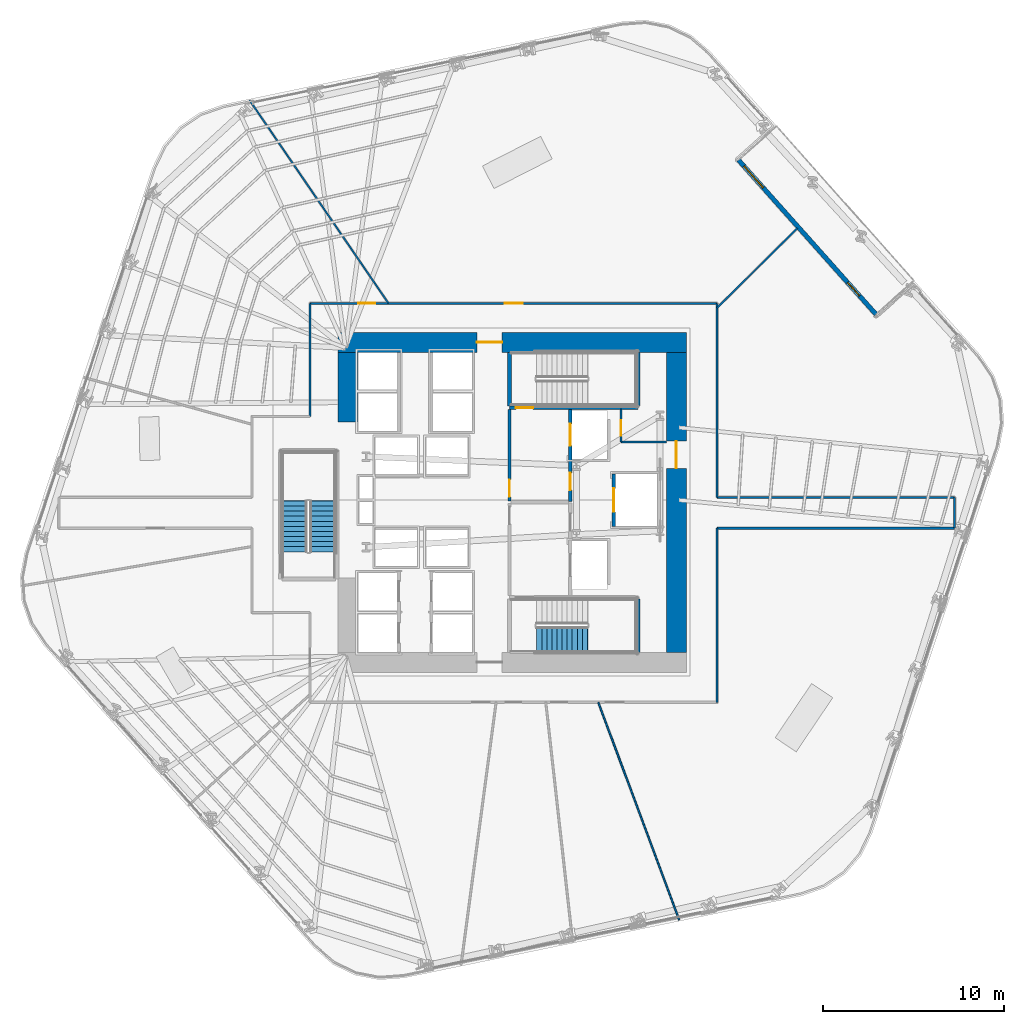
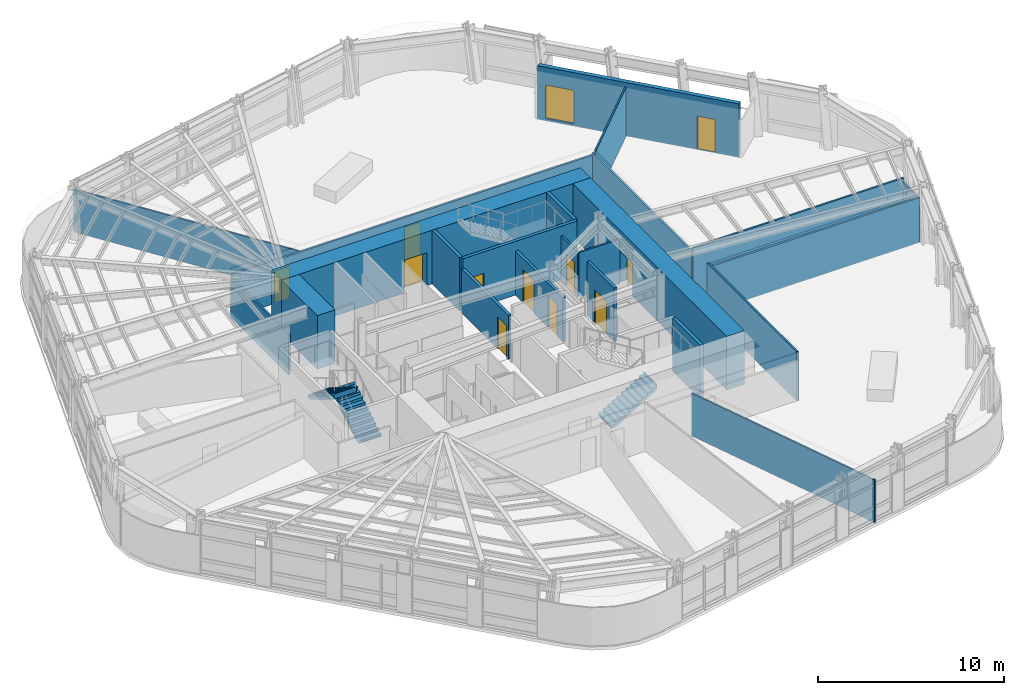
# One storey, part 9 of 17: 23 walls, 11 doors, 3 stair flights, 1 window, 12 openings, 2 elements without a shape of their own.
"""IFC4 building model written with IfcOpenShell, lengths in metres."""

from ifc_helpers import new_model, si_unit, direction, frame, frame_2d, origin, place, context, subcontext, project, spatial, polyline, rectangle, outline, extrude, material, layer, layer_set, type_object, element, fill, aggregate, save


model = new_model("IFC4")

# Units and contexts
model_context = context("Model", 3, precision=1e-05, world=origin(), true_north=direction((0.0, 1.0)))
body_context = subcontext(model_context, "Body", "Model", "MODEL_VIEW")
ifc_project = project(units=[si_unit("LENGTHUNIT", "METRE"), si_unit("AREAUNIT", "SQUARE_METRE"), si_unit("VOLUMEUNIT", "CUBIC_METRE"), si_unit("PLANEANGLEUNIT", "RADIAN"), si_unit("MASSUNIT", "GRAM", prefix="KILO")], contexts=[model_context])

# Site, building, storey
site_placement = place(None, origin())
site = spatial("IfcSite", under=ifc_project, at=site_placement, CompositionType="ELEMENT")
building_placement = place(site_placement, origin())
building = spatial("IfcBuilding", under=site, at=building_placement, Name="Valkerne Bourse Tower", CompositionType="ELEMENT")
storey_placement = place(building_placement, frame((0.0, 0.0, 73.39990234375)))
storey = spatial("IfcBuildingStorey", under=building, at=storey_placement, Name="L18", CompositionType="ELEMENT", Elevation=73.39990234375)

# Wall, opening, door
ifc_material_1 = material(Name="Concrete C70/85", Category="concrete")
ifc_layer_1 = layer(ifc_material_1, 1.10009765625)
ifc_layer_set_1 = layer_set([ifc_layer_1], Name="Concrete C70/85")
wall_type_1 = type_object("IfcWallType", Name="W-CORE-1100", PredefinedType="SHEAR", material=ifc_layer_set_1)
wall_1_placement = place(storey_placement, frame((37.199951171875, 35.699951171875, 0.0), z_axis=(0.0, 0.0, 1.0), x_axis=(1.0, 0.0, 0.0)))
wall_1 = element("IfcWall", 1, at=wall_1_placement, inside=storey, type_object=wall_type_1, Name="L18 Core Shear Wall NORTH", PredefinedType="SHEAR", context=body_context, shape_type="SweptSolid", body=[
    extrude(rectangle(XDim=19.199951171875, YDim=1.10009765625, at=frame_2d((9.60009765625, 0.0))), origin(), (0.0, 0.0, 1.0), 3.52001953125),
])
opening_1_placement = place(wall_1_placement, frame((7.64990234375, 0.0, 0.0)))
opening_1 = element("IfcOpeningElement", 2, at=opening_1_placement, cuts=wall_1, Name="Opening D-PL-1400", PredefinedType="OPENING", context=body_context, shape_type="SweptSolid", body=[
    extrude(rectangle(XDim=1.39990234375, YDim=2.14990234375, at=frame_2d((0.699951171875, 1.074951171875))), frame((0.0, 0.56005859375, 0.0), z_axis=(0.0, -1.0, 0.0), x_axis=(1.0, 0.0, 0.0)), (0.0, 0.0, 1.0), 1.1201171875),
])
ifc_material_2 = material(Name="Galvanised Painted Steel", Category="steel")
door_type_1 = type_object("IfcDoorType", Name="DR-PLT-1400", OperationType="DOUBLE_DOOR_SINGLE_SWING", PredefinedType="DOOR", material=ifc_material_2)
door_1_placement = place(opening_1_placement, origin())
door_1 = element("IfcDoor", 3, at=door_1_placement, inside=storey, type_object=door_type_1, Name="L18 North Passenger Lift Hall Fire Door", OperationType="DOUBLE_DOOR_SINGLE_SWING", OverallHeight=2.14990234375, OverallWidth=1.39990234375, PredefinedType="DOOR", context=body_context, shape_type="SweptSolid", body=[
    extrude(rectangle(XDim=1.39990234375, YDim=2.14990234375, at=frame_2d((0.699951171875, 1.074951171875))), frame((0.0, 0.02490234375, 0.0), z_axis=(0.0, -1.0, 0.0), x_axis=(1.0, 0.0, 0.0)), (0.0, 0.0, 1.0), 0.050048828125),
])
fill(opening_1, door_1)

wall_2_placement = place(storey_placement, frame((55.85009765625, 18.60009765625, 0.0), z_axis=(0.0, 0.0, 1.0), x_axis=(0.0, 1.0, 0.0)))
wall_2 = element("IfcWall", 4, at=wall_2_placement, inside=storey, type_object=wall_type_1, Name="L18 Core Shear Wall EAST", PredefinedType="SHEAR", context=body_context, shape_type="SweptSolid", body=[
    extrude(rectangle(XDim=16.5498046875, YDim=1.10009765625, at=frame_2d((8.27490234375, 0.0))), origin(), (0.0, 0.0, 1.0), 3.52001953125),
])
opening_2_placement = place(wall_2_placement, frame((10.14990234375, 0.0, 0.0)))
opening_2 = element("IfcOpeningElement", 5, at=opening_2_placement, cuts=wall_2, Name="Opening D-CR-1500", PredefinedType="OPENING", context=body_context, shape_type="SweptSolid", body=[
    extrude(rectangle(XDim=1.5, YDim=2.14990234375, at=frame_2d((0.75, 1.074951171875))), frame((0.0, 0.56005859375, 0.0), z_axis=(0.0, -1.0, 0.0), x_axis=(1.0, 0.0, 0.0)), (0.0, 0.0, 1.0), 1.1201171875),
])
door_type_2 = type_object("IfcDoorType", Name="DR-CORR-1500", OperationType="DOUBLE_DOOR_SINGLE_SWING", PredefinedType="DOOR", material=ifc_material_2)
door_2_placement = place(opening_2_placement, origin())
door_2 = element("IfcDoor", 6, at=door_2_placement, inside=storey, type_object=door_type_2, Name="L18 East Core Service Lobby Fire Door", OperationType="DOUBLE_DOOR_SINGLE_SWING", OverallHeight=2.14990234375, OverallWidth=1.5, PredefinedType="DOOR", context=body_context, shape_type="SweptSolid", body=[
    extrude(rectangle(XDim=1.5, YDim=2.14990234375, at=frame_2d((0.75, 1.074951171875))), frame((0.0, 0.02490234375, 0.0), z_axis=(0.0, -1.0, 0.0), x_axis=(1.0, 0.0, 0.0)), (0.0, 0.0, 1.0), 0.050048828125),
])
fill(opening_2, door_2)

# Wall
wall_3_placement = place(storey_placement, frame((37.75, 31.300048828125, 0.0), z_axis=(0.0, 0.0, 1.0), x_axis=(0.0, 1.0, 0.0)))
element("IfcWall", 7, at=wall_3_placement, inside=storey, type_object=wall_type_1, Name="L18 Core Shear Wall WEST-N", PredefinedType="SHEAR", context=body_context, shape_type="SweptSolid", body=[
    extrude(rectangle(XDim=3.849853515625, YDim=1.10009765625, at=frame_2d((1.9248046875, 0.0))), origin(), (0.0, 0.0, 1.0), 3.52001953125),
])

# Wall, opening, door
ifc_material_3 = material(Name="Gypsum Board Steel-Stud Partition", Category="steel")
ifc_layer_2 = layer(ifc_material_3, 0.117919921875)
ifc_layer_set_2 = layer_set([ifc_layer_2], Name="Gypsum Board Steel-Stud Partition")
wall_type_2 = type_object("IfcWallType", Name="W-CORR-140", PredefinedType="PARTITIONING", material=ifc_layer_set_2)
wall_4_placement = place(storey_placement, frame((52.800048828125, 30.199951171875, 0.0), z_axis=(0.0, 0.0, 1.0), x_axis=(0.0, 1.0, 0.0)))
wall_4 = element("IfcWall", 8, at=wall_4_placement, inside=storey, type_object=wall_type_2, Name="L18 Core NE Bay West Wall", PredefinedType="PARTITIONING", context=body_context, shape_type="SweptSolid", body=[
    extrude(rectangle(XDim=1.820068359375, YDim=0.117919921875, at=frame_2d((0.91015625, 0.0))), origin(), (0.0, 0.0, 1.0), 2.898193359375),
])
opening_3_placement = place(wall_4_placement, frame((0.35009765625, 0.0, 0.0)))
opening_3 = element("IfcOpeningElement", 9, at=opening_3_placement, cuts=wall_4, Name="Opening D-WC-900", PredefinedType="OPENING", context=body_context, shape_type="SweptSolid", body=[
    extrude(rectangle(XDim=0.860107421875, YDim=2.050048828125, at=frame_2d((0.43017578125, 1.02490234375))), frame((0.0, 0.06884765625, 0.0), z_axis=(0.0, -1.0, 0.0), x_axis=(1.0, 0.0, 0.0)), (0.0, 0.0, 1.0), 0.137939453125),
])
ifc_material_4 = material(Name="Architectural White Oak Timber", Category="wood")
door_type_3 = type_object("IfcDoorType", Name="DR-WC-900", OperationType="NOTDEFINED", PredefinedType="DOOR", material=ifc_material_4)
door_3_placement = place(opening_3_placement, origin())
door_3 = element("IfcDoor", 10, at=door_3_placement, inside=storey, type_object=door_type_3, Name="L18 Electrical Closet Door", OperationType="SINGLE_SWING_RIGHT", OverallHeight=2.050048828125, OverallWidth=0.860107421875, PredefinedType="DOOR", context=body_context, shape_type="SweptSolid", body=[
    extrude(rectangle(XDim=0.860107421875, YDim=2.050048828125, at=frame_2d((0.43017578125, 1.02490234375))), frame((0.0, 0.02490234375, 0.0), z_axis=(0.0, -1.0, 0.0), x_axis=(1.0, 0.0, 0.0)), (0.0, 0.0, 1.0), 0.050048828125),
])
fill(opening_3, door_3)

# Walls
wall_5_placement = place(storey_placement, frame((52.800048828125, 30.199951171875, 0.0), z_axis=(0.0, 0.0, 1.0), x_axis=(1.0, 0.0, 0.0)))
element("IfcWall", 11, at=wall_5_placement, inside=storey, type_object=wall_type_2, Name="L18 Core NE Bay South Wall", PredefinedType="PARTITIONING", context=body_context, shape_type="SweptSolid", body=[
    extrude(rectangle(XDim=2.52001953125, YDim=0.117919921875, at=frame_2d((1.260009765625, 0.0))), origin(), (0.0, 0.0, 1.0), 2.898193359375),
])
wall_6_placement = place(storey_placement, frame((58.10009765625, 27.14990234375, 0.0), z_axis=(0.0, 0.0, 1.0), x_axis=(1.0, 0.0, 0.0)))
element("IfcWall", 12, at=wall_6_placement, inside=storey, type_object=wall_type_2, Name="L18 Corridor Enclosure Wall", PredefinedType="PARTITIONING", context=body_context, shape_type="SweptSolid", body=[
    extrude(rectangle(XDim=13.099853515625, YDim=0.117919921875, at=frame_2d((6.5498046875, 0.0))), origin(), (0.0, 0.0, 1.0), 3.2001953125),
])
wall_7_placement = place(storey_placement, frame((71.199951171875, 27.14990234375, 0.0), z_axis=(0.0, 0.0, 1.0), x_axis=(0.0, -1.0, 0.0)))
element("IfcWall", 13, at=wall_7_placement, inside=storey, type_object=wall_type_2, Name="L18 Corridor Enclosure Wall", PredefinedType="PARTITIONING", context=body_context, shape_type="SweptSolid", body=[
    extrude(rectangle(XDim=1.699951171875, YDim=0.117919921875, at=frame_2d((0.85009765625, 0.0))), origin(), (0.0, 0.0, 1.0), 2.96142578125),
])
wall_8_placement = place(storey_placement, frame((71.199951171875, 25.449951171875, 0.0), z_axis=(0.0, 0.0, 1.0), x_axis=(-1.0, 0.0, 0.0)))
element("IfcWall", 14, at=wall_8_placement, inside=storey, type_object=wall_type_2, Name="L18 Corridor Enclosure Wall", PredefinedType="PARTITIONING", context=body_context, shape_type="SweptSolid", body=[
    extrude(rectangle(XDim=13.099853515625, YDim=0.117919921875, at=frame_2d((6.5498046875, 0.0))), origin(), (0.0, 0.0, 1.0), 2.96142578125),
])
wall_9_placement = place(storey_placement, frame((58.10009765625, 25.449951171875, 0.0), z_axis=(0.0, 0.0, 1.0), x_axis=(0.0, -1.0, 0.0)))
element("IfcWall", 15, at=wall_9_placement, inside=storey, type_object=wall_type_2, Name="L18 Corridor Enclosure Wall", PredefinedType="PARTITIONING", context=body_context, shape_type="SweptSolid", body=[
    extrude(rectangle(XDim=9.599853515625, YDim=0.117919921875, at=frame_2d((4.7998046875, 0.0))), origin(), (0.0, 0.0, 1.0), 3.22021484375),
])
wall_10_placement = place(storey_placement, frame((35.64990234375, 31.60009765625, 0.0), z_axis=(0.0, 0.0, 1.0), x_axis=(0.0, 1.0, 0.0)))
element("IfcWall", 16, at=wall_10_placement, inside=storey, type_object=wall_type_2, Name="L18 Corridor Enclosure Wall", PredefinedType="PARTITIONING", context=body_context, shape_type="SweptSolid", body=[
    extrude(rectangle(XDim=6.25, YDim=0.117919921875, at=frame_2d((3.125, 0.0))), origin(), (0.0, 0.0, 1.0), 2.651611328125),
])

# Wall, openings, doors
wall_11_placement = place(storey_placement, frame((35.64990234375, 37.85009765625, 0.0), z_axis=(0.0, 0.0, 1.0), x_axis=(1.0, 0.0, 0.0)))
wall_11 = element("IfcWall", 17, at=wall_11_placement, inside=storey, type_object=wall_type_2, Name="L18 Corridor Enclosure Wall", PredefinedType="PARTITIONING", context=body_context, shape_type="SweptSolid", body=[
    extrude(rectangle(XDim=22.4501953125, YDim=0.117919921875, at=frame_2d((11.22509765625, 0.0))), origin(), (0.0, 0.0, 1.0), 2.816650390625),
])
opening_4_placement = place(wall_11_placement, frame((2.64990234375, 0.0, 0.0)))
opening_4 = element("IfcOpeningElement", 18, at=opening_4_placement, cuts=wall_11, Name="Opening D-OF-950", PredefinedType="OPENING", context=body_context, shape_type="SweptSolid", body=[
    extrude(rectangle(XDim=0.949951171875, YDim=2.10009765625, at=frame_2d((0.47509765625, 1.050048828125))), frame((0.0, 0.06884765625, 0.0), z_axis=(0.0, -1.0, 0.0), x_axis=(1.0, 0.0, 0.0)), (0.0, 0.0, 1.0), 0.137939453125),
])
opening_5_placement = place(wall_11_placement, frame((10.72509765625, 0.0, 0.0)))
opening_5 = element("IfcOpeningElement", 19, at=opening_5_placement, cuts=wall_11, Name="Opening D-MG-1000", PredefinedType="OPENING", context=body_context, shape_type="SweptSolid", body=[
    extrude(rectangle(XDim=1.0, YDim=2.14990234375, at=frame_2d((0.5, 1.074951171875))), frame((0.0, 0.06884765625, 0.0), z_axis=(0.0, -1.0, 0.0), x_axis=(1.0, 0.0, 0.0)), (0.0, 0.0, 1.0), 0.137939453125),
])
ifc_material_5 = material(Name="Laminated Tempered Safety Glass", Category="glass")
door_type_4 = type_object("IfcDoorType", Name="DR-MTG-1000", OperationType="NOTDEFINED", PredefinedType="DOOR", material=ifc_material_5)
door_4_placement = place(opening_5_placement, origin())
door_4 = element("IfcDoor", 20, at=door_4_placement, inside=storey, type_object=door_type_4, Name="L18 L18 Client Strategy Conference Room 7 Door", OperationType="SINGLE_SWING_LEFT", OverallHeight=2.14990234375, OverallWidth=1.0, PredefinedType="DOOR", context=body_context, shape_type="SweptSolid", body=[
    extrude(rectangle(XDim=1.0, YDim=2.14990234375, at=frame_2d((0.5, 1.074951171875))), frame((0.0, 0.02490234375, 0.0), z_axis=(0.0, -1.0, 0.0), x_axis=(1.0, 0.0, 0.0)), (0.0, 0.0, 1.0), 0.050048828125),
])
fill(opening_5, door_4)
door_type_5 = type_object("IfcDoorType", Name="DR-OFF-950", OperationType="NOTDEFINED", PredefinedType="DOOR", material=ifc_material_4)
door_5_placement = place(opening_4_placement, origin())
door_5 = element("IfcDoor", 21, at=door_5_placement, inside=storey, type_object=door_type_5, Name="L18 L18 Hospitality Catering Kitchen 5 Door", OperationType="SINGLE_SWING_LEFT", OverallHeight=2.10009765625, OverallWidth=0.949951171875, PredefinedType="DOOR", context=body_context, shape_type="SweptSolid", body=[
    extrude(rectangle(XDim=0.949951171875, YDim=2.10009765625, at=frame_2d((0.47509765625, 1.050048828125))), frame((0.0, 0.02490234375, 0.0), z_axis=(0.0, -1.0, 0.0), x_axis=(1.0, 0.0, 0.0)), (0.0, 0.0, 1.0), 0.050048828125),
])
fill(opening_4, door_5)

# Wall
wall_12_placement = place(storey_placement, frame((58.10009765625, 37.85009765625, 0.0), z_axis=(0.0, 0.0, 1.0), x_axis=(0.0, -1.0, 0.0)))
element("IfcWall", 22, at=wall_12_placement, inside=storey, type_object=wall_type_2, Name="L18 Corridor Enclosure Wall", PredefinedType="PARTITIONING", context=body_context, shape_type="SweptSolid", body=[
    extrude(rectangle(XDim=10.7001953125, YDim=0.117919921875, at=frame_2d((5.35009765625, 0.0))), origin(), (0.0, 0.0, 1.0), 2.976806640625),
])

# Wall, openings, door, window
ifc_material_6 = material(Name="Bronze Anodised Aluminium AA 6063-T6", Category="aluminium")
ifc_layer_3 = layer(ifc_material_6, 0.25)
ifc_layer_set_3 = layer_set([ifc_layer_3], Name="Bronze Anodised Aluminium AA 6063-T6")
wall_type_3 = type_object("IfcWallType", Name="W-EXT-TER-250", PredefinedType="STANDARD", material=ifc_layer_set_3)
wall_13_placement = place(storey_placement, frame((66.864990234375, 37.242919921875, 0.0), z_axis=(0.0, 0.0, 1.0), x_axis=(-0.665234044624, 0.746634894626, 0.0)))
wall_13 = element("IfcWall", 23, at=wall_13_placement, inside=storey, type_object=wall_type_3, Name="L18 V-Notch Terrace Glazed Access Wall", PredefinedType="STANDARD", context=body_context, shape_type="SweptSolid", body=[
    extrude(rectangle(XDim=11.400146484375, YDim=0.25, at=frame_2d((5.7001953125, 0.0))), origin(), (0.0, 0.0, 1.0), 3.52001953125),
])
opening_6_placement = place(wall_13_placement, frame((1.360107421875, 0.0, 0.0)))
opening_6 = element("IfcOpeningElement", 24, at=opening_6_placement, cuts=wall_13, Name="Opening DT-1000", PredefinedType="OPENING", context=body_context, shape_type="SweptSolid", body=[
    extrude(rectangle(XDim=1.0, YDim=2.199951171875, at=frame_2d((0.5, 1.10009765625))), frame((0.0, 0.135009765625, 0.0), z_axis=(0.0, -1.0, 0.0), x_axis=(1.0, 0.0, 0.0)), (0.0, 0.0, 1.0), 0.27001953125),
])
opening_7_placement = place(wall_13_placement, frame((9.35009765625, 0.0, 0.14990234375)))
opening_7 = element("IfcOpeningElement", 25, at=opening_7_placement, cuts=wall_13, Name="Opening WN-04", PredefinedType="OPENING", context=body_context, shape_type="SweptSolid", body=[
    extrude(rectangle(XDim=1.60009765625, YDim=2.199951171875, at=frame_2d((0.800048828125, 1.10009765625))), frame((0.0, 0.135009765625, 0.0), z_axis=(0.0, -1.0, 0.0), x_axis=(1.0, 0.0, 0.0)), (0.0, 0.0, 1.0), 0.27001953125),
])
ifc_material_7 = material(Name="Glass IGU Low-E Double Glazed", Category="glass")
door_type_6 = type_object("IfcDoorType", Name="DR-EXT-TER-1000", OperationType="NOTDEFINED", PredefinedType="DOOR", material=ifc_material_7)
door_6_placement = place(opening_6_placement, origin())
door_6 = element("IfcDoor", 26, at=door_6_placement, inside=storey, type_object=door_type_6, Name="L18 V-Notch Outdoor Terrace Access Door", OperationType="SINGLE_SWING_LEFT", OverallHeight=2.199951171875, OverallWidth=1.0, PredefinedType="DOOR", context=body_context, shape_type="SweptSolid", body=[
    extrude(rectangle(XDim=1.0, YDim=2.199951171875, at=frame_2d((0.5, 1.10009765625))), frame((0.0, 0.02490234375, 0.0), z_axis=(0.0, -1.0, 0.0), x_axis=(1.0, 0.0, 0.0)), (0.0, 0.0, 1.0), 0.050048828125),
])
fill(opening_6, door_6)
window_type = type_object("IfcWindowType", Name="WIN-TER-1600X2200", PartitioningType="SINGLE_PANEL", PredefinedType="WINDOW", material=ifc_material_7)
window_placement = place(opening_7_placement, origin())
window = element("IfcWindow", 27, at=window_placement, inside=storey, type_object=window_type, Name="L18 V-Notch Terrace Sidelight Window", OverallHeight=2.199951171875, OverallWidth=1.60009765625, PartitioningType="SINGLE_PANEL", PredefinedType="WINDOW", context=body_context, shape_type="SweptSolid", body=[
    extrude(rectangle(XDim=1.60009765625, YDim=2.199951171875, at=frame_2d((0.800048828125, 1.10009765625))), frame((0.0, 0.030029296875, 0.0), z_axis=(0.0, -1.0, 0.0), x_axis=(1.0, 0.0, 0.0)), (0.0, 0.0, 1.0), 0.06005859375),
])
fill(opening_7, window)

# Wall, opening, door
ifc_material_8 = material(Name="Gypsum Fire-Rated Shaftwall", Category="gypsum")
ifc_layer_4 = layer(ifc_material_8, 0.179931640625)
ifc_layer_set_4 = layer_set([ifc_layer_4], Name="Gypsum Fire-Rated Shaftwall")
wall_type_4 = type_object("IfcWallType", Name="W-FSAE-180", PredefinedType="PARTITIONING", material=ifc_layer_set_4)
wall_14_placement = place(storey_placement, frame((46.64990234375, 26.9599609375, 0.0), z_axis=(0.0, 0.0, 1.0), x_axis=(0.0, 1.0, 0.0)))
wall_14 = element("IfcWall", 28, at=wall_14_placement, inside=storey, type_object=wall_type_4, Name="L18 FSAE-2 Lobby West Fire Wall", PredefinedType="PARTITIONING", context=body_context, shape_type="SweptSolid", body=[
    extrude(rectangle(XDim=5.0400390625, YDim=0.179931640625, at=frame_2d((2.52001953125, 0.0))), origin(), (0.0, 0.0, 1.0), 2.898193359375),
])
opening_8_placement = place(wall_14_placement, frame((0.219970703125, 0.0, 0.0)))
opening_8 = element("IfcOpeningElement", 29, at=opening_8_placement, cuts=wall_14, Name="Opening D-FS-950", PredefinedType="OPENING", context=body_context, shape_type="SweptSolid", body=[
    extrude(rectangle(XDim=0.949951171875, YDim=2.10009765625, at=frame_2d((0.47509765625, 1.050048828125))), frame((0.0, 0.099853515625, 0.0), z_axis=(0.0, -1.0, 0.0), x_axis=(1.0, 0.0, 0.0)), (0.0, 0.0, 1.0), 0.199951171875),
])
door_type_7 = type_object("IfcDoorType", Name="DR-FSAE-950", OperationType="NOTDEFINED", PredefinedType="DOOR", material=ifc_material_2)
door_7_placement = place(opening_8_placement, origin())
door_7 = element("IfcDoor", 30, at=door_7_placement, inside=storey, type_object=door_type_7, Name="L18 FSAE-2 Hall Link Fire Door", OperationType="SINGLE_SWING_RIGHT", OverallHeight=2.10009765625, OverallWidth=0.949951171875, PredefinedType="DOOR", context=body_context, shape_type="SweptSolid", body=[
    extrude(rectangle(XDim=0.949951171875, YDim=2.10009765625, at=frame_2d((0.47509765625, 1.050048828125))), frame((0.0, 0.02490234375, 0.0), z_axis=(0.0, -1.0, 0.0), x_axis=(1.0, 0.0, 0.0)), (0.0, 0.0, 1.0), 0.050048828125),
])
fill(opening_8, door_7)

# Wall, openings, doors
wall_15_placement = place(storey_placement, frame((50.0, 26.919921875, 0.0), z_axis=(0.0, 0.0, 1.0), x_axis=(0.0, 1.0, 0.0)))
wall_15 = element("IfcWall", 31, at=wall_15_placement, inside=storey, type_object=wall_type_4, Name="L18 FSAE-2 Lobby & Shaft Front Wall", PredefinedType="PARTITIONING", context=body_context, shape_type="SweptSolid", body=[
    extrude(rectangle(XDim=5.080078125, YDim=0.179931640625, at=frame_2d((2.5400390625, 0.0))), origin(), (0.0, 0.0, 1.0), 2.898193359375),
])
opening_9_placement = place(wall_15_placement, frame((3.080078125, 0.0, 0.0)))
opening_9 = element("IfcOpeningElement", 32, at=opening_9_placement, cuts=wall_15, Name="Opening LD-1200", PredefinedType="OPENING", context=body_context, shape_type="SweptSolid", body=[
    extrude(rectangle(XDim=1.199951171875, YDim=2.14990234375, at=frame_2d((0.60009765625, 1.074951171875))), frame((0.0, 0.099853515625, 0.0), z_axis=(0.0, -1.0, 0.0), x_axis=(1.0, 0.0, 0.0)), (0.0, 0.0, 1.0), 0.199951171875),
])
opening_10_placement = place(wall_15_placement, frame((0.6298828125, 0.0, 0.0)))
opening_10 = element("IfcOpeningElement", 33, at=opening_10_placement, cuts=wall_15, Name="Opening D-FS-950", PredefinedType="OPENING", context=body_context, shape_type="SweptSolid", body=[
    extrude(rectangle(XDim=0.949951171875, YDim=2.10009765625, at=frame_2d((0.47509765625, 1.050048828125))), frame((0.0, 0.099853515625, 0.0), z_axis=(0.0, -1.0, 0.0), x_axis=(1.0, 0.0, 0.0)), (0.0, 0.0, 1.0), 0.199951171875),
])
door_8_placement = place(opening_10_placement, origin())
door_8 = element("IfcDoor", 34, at=door_8_placement, inside=storey, type_object=door_type_7, Name="L18 FSAE-2 Lobby Corridor Fire Door", OperationType="SINGLE_SWING_RIGHT", OverallHeight=2.10009765625, OverallWidth=0.949951171875, PredefinedType="DOOR", context=body_context, shape_type="SweptSolid", body=[
    extrude(rectangle(XDim=0.949951171875, YDim=2.10009765625, at=frame_2d((0.47509765625, 1.050048828125))), frame((0.0, 0.02490234375, 0.0), z_axis=(0.0, -1.0, 0.0), x_axis=(1.0, 0.0, 0.0)), (0.0, 0.0, 1.0), 0.050048828125),
])
fill(opening_10, door_8)
ifc_material_9 = material(Name="Stainless Steel AISI 316", Category="steel")
door_type_8 = type_object("IfcDoorType", Name="DR-LIFT-1200", OperationType="DOUBLE_DOOR_SLIDING", PredefinedType="DOOR", material=ifc_material_9)
door_9_placement = place(opening_9_placement, origin())
door_9 = element("IfcDoor", 35, at=door_9_placement, inside=storey, type_object=door_type_8, Name="L18 FSAE-2 Firefighting Lift Landing Door", OperationType="DOUBLE_DOOR_SLIDING", OverallHeight=2.14990234375, OverallWidth=1.199951171875, PredefinedType="DOOR", context=body_context, shape_type="SweptSolid", body=[
    extrude(rectangle(XDim=1.199951171875, YDim=2.14990234375, at=frame_2d((0.60009765625, 1.074951171875))), frame((0.0, 0.02490234375, 0.0), z_axis=(0.0, -1.0, 0.0), x_axis=(1.0, 0.0, 0.0)), (0.0, 0.0, 1.0), 0.050048828125),
])
fill(opening_9, door_9)

# Wall, opening, door
ifc_material_10 = material(Name="CMU Blockwork Masonry 200mm", Category="masonry")
ifc_layer_5 = layer(ifc_material_10, 0.179931640625)
ifc_layer_set_5 = layer_set([ifc_layer_5], Name="CMU Blockwork Masonry 200mm")
wall_type_5 = type_object("IfcWallType", Name="W-LFT-180", PredefinedType="SOLIDWALL", material=ifc_layer_set_5)
wall_16_placement = place(storey_placement, frame((52.39990234375, 25.550048828125, 0.0), z_axis=(0.0, 0.0, 1.0), x_axis=(0.0, 1.0, 0.0)))
wall_16 = element("IfcWall", 36, at=wall_16_placement, inside=storey, type_object=wall_type_5, Name="L18 Service Lift SV-1 Front Wall", PredefinedType="SOLIDWALL", context=body_context, shape_type="SweptSolid", body=[
    extrude(rectangle(XDim=2.89990234375, YDim=0.179931640625, at=frame_2d((1.449951171875, 0.0))), origin(), (0.0, 0.0, 1.0), 3.52001953125),
])
opening_11_placement = place(wall_16_placement, frame((0.800048828125, 0.0, 0.0)))
opening_11 = element("IfcOpeningElement", 37, at=opening_11_placement, cuts=wall_16, Name="Opening LD-1300", PredefinedType="OPENING", context=body_context, shape_type="SweptSolid", body=[
    extrude(rectangle(XDim=1.300048828125, YDim=2.14990234375, at=frame_2d((0.64990234375, 1.074951171875))), frame((0.0, 0.099853515625, 0.0), z_axis=(0.0, -1.0, 0.0), x_axis=(1.0, 0.0, 0.0)), (0.0, 0.0, 1.0), 0.199951171875),
])
door_type_9 = type_object("IfcDoorType", Name="DR-LIFT-1300", OperationType="DOUBLE_DOOR_SLIDING", PredefinedType="DOOR", material=ifc_material_9)
door_10_placement = place(opening_11_placement, origin())
door_10 = element("IfcDoor", 38, at=door_10_placement, inside=storey, type_object=door_type_9, Name="L18 Service Lift SV-1 Landing Door", OperationType="DOUBLE_DOOR_SLIDING", OverallHeight=2.14990234375, OverallWidth=1.300048828125, PredefinedType="DOOR", context=body_context, shape_type="SweptSolid", body=[
    extrude(rectangle(XDim=1.300048828125, YDim=2.14990234375, at=frame_2d((0.64990234375, 1.074951171875))), frame((0.0, 0.02490234375, 0.0), z_axis=(0.0, -1.0, 0.0), x_axis=(1.0, 0.0, 0.0)), (0.0, 0.0, 1.0), 0.050048828125),
])
fill(opening_11, door_10)

# Walls
ifc_layer_6 = layer(ifc_material_3, 0.092041015625)
ifc_layer_set_6 = layer_set([ifc_layer_6], Name="Gypsum Board Steel-Stud Partition")
wall_type_6 = type_object("IfcWallType", Name="W-PART-115", PredefinedType="PARTITIONING", material=ifc_layer_set_6)
wall_17_placement = place(storey_placement, frame((51.548583984375, 15.844970703125, 0.0), z_axis=(0.0, 0.0, 1.0), x_axis=(0.348565779246, -0.937284320544, 0.0)))
element("IfcWall", 39, at=wall_17_placement, inside=storey, type_object=wall_type_6, Name="L18 Suite Partition P03", PredefinedType="PARTITIONING", context=body_context, shape_type="SweptSolid", body=[
    extrude(rectangle(XDim=12.800048828125, YDim=0.092041015625, at=frame_2d((6.39990234375, 0.0))), origin(), (0.0, 0.0, 1.0), 2.803955078125),
])
wall_18_placement = place(storey_placement, frame((58.10498046875, 37.60888671875, 0.0), z_axis=(0.0, 0.0, 1.0), x_axis=(0.710290446579, 0.703908716737, 0.0)))
element("IfcWall", 40, at=wall_18_placement, inside=storey, type_object=wall_type_6, Name="L18 Suite Partition P04", PredefinedType="PARTITIONING", context=body_context, shape_type="SweptSolid", body=[
    extrude(rectangle(XDim=6.23583984375, YDim=0.092041015625, at=frame_2d((3.117919921875, 0.0))), origin(), (0.0, 0.0, 1.0), 3.22021484375),
])
wall_19_placement = place(storey_placement, frame((39.97509765625, 37.85498046875, 0.0), z_axis=(0.0, 0.0, 1.0), x_axis=(-0.564581938153, 0.825377026038, 0.0)))
element("IfcWall", 41, at=wall_19_placement, inside=storey, type_object=wall_type_6, Name="L18 Suite Partition P05", PredefinedType="PARTITIONING", context=body_context, shape_type="SweptSolid", body=[
    extrude(rectangle(XDim=13.56103515625, YDim=0.092041015625, at=frame_2d((6.780517578125, 0.0))), origin(), (0.0, 0.0, 1.0), 2.803955078125),
])
ifc_material_11 = material(Name="Concrete C40/50", Category="concrete")
ifc_layer_7 = layer(ifc_material_11, 0.199951171875)
ifc_layer_set_7 = layer_set([ifc_layer_7], Name="Concrete C40/50")
wall_type_7 = type_object("IfcWallType", Name="W-SHF-200", PredefinedType="SHEAR", material=ifc_layer_set_7)
wall_20_placement = place(storey_placement, frame((53.75, 18.60009765625, 0.0), z_axis=(0.0, 0.0, 1.0), x_axis=(0.0, 1.0, 0.0)))
element("IfcWall", 42, at=wall_20_placement, inside=storey, type_object=wall_type_7, Name="L18 Exit Stair ST-1 Structural Shaft Wall East", PredefinedType="SHEAR", context=body_context, shape_type="SweptSolid", body=[
    extrude(rectangle(XDim=2.949951171875, YDim=0.199951171875, at=frame_2d((1.47509765625, 0.0))), origin(), (0.0, 0.0, 1.0), 3.52001953125),
])

# Wall, opening, door
wall_21_placement = place(storey_placement, frame((46.64990234375, 32.10009765625, 0.0), z_axis=(0.0, 0.0, 1.0), x_axis=(1.0, 0.0, 0.0)))
wall_21 = element("IfcWall", 43, at=wall_21_placement, inside=storey, type_object=wall_type_7, Name="L18 Exit Stair ST-2 Structural Shaft Wall South", PredefinedType="SHEAR", context=body_context, shape_type="SweptSolid", body=[
    extrude(rectangle(XDim=7.10009765625, YDim=0.199951171875, at=frame_2d((3.550048828125, 0.0))), origin(), (0.0, 0.0, 1.0), 3.52001953125),
])
opening_12_placement = place(wall_21_placement, frame((0.35009765625, 0.0, 0.0)))
opening_12 = element("IfcOpeningElement", 44, at=opening_12_placement, cuts=wall_21, Name="Opening D-ST-950", PredefinedType="OPENING", context=body_context, shape_type="SweptSolid", body=[
    extrude(rectangle(XDim=0.949951171875, YDim=2.10009765625, at=frame_2d((0.47509765625, 1.050048828125))), frame((0.0, 0.10986328125, 0.0), z_axis=(0.0, -1.0, 0.0), x_axis=(1.0, 0.0, 0.0)), (0.0, 0.0, 1.0), 0.219970703125),
])
door_type_10 = type_object("IfcDoorType", Name="DR-STAIR-950", OperationType="NOTDEFINED", PredefinedType="DOOR", material=ifc_material_2)
door_11_placement = place(opening_12_placement, origin())
door_11 = element("IfcDoor", 45, at=door_11_placement, inside=storey, type_object=door_type_10, Name="L18 Exit Stair ST-2 Door", OperationType="SINGLE_SWING_RIGHT", OverallHeight=2.10009765625, OverallWidth=0.949951171875, PredefinedType="DOOR", context=body_context, shape_type="SweptSolid", body=[
    extrude(rectangle(XDim=0.949951171875, YDim=2.10009765625, at=frame_2d((0.47509765625, 1.050048828125))), frame((0.0, 0.02490234375, 0.0), z_axis=(0.0, -1.0, 0.0), x_axis=(1.0, 0.0, 0.0)), (0.0, 0.0, 1.0), 0.050048828125),
])
fill(opening_12, door_11)

# Walls
for number, where, z_axis, x_axis, name in (
    (46, (46.64990234375, 32.199951171875, 0.0), (0.0, 0.0, 1.0), (0.0, 1.0, 0.0), "L18 Exit Stair ST-2 Structural Shaft Wall West"),
    (47, (53.75, 32.199951171875, 0.0), (0.0, 0.0, 1.0), (0.0, 1.0, 0.0), "L18 Exit Stair ST-2 Structural Shaft Wall East"),
):
    element("IfcWall", number, at=place(storey_placement, frame(where, z_axis=z_axis, x_axis=x_axis)), inside=storey, type_object=wall_type_7, Name=name, PredefinedType="SHEAR", context=body_context, shape_type="SweptSolid", body=[
        extrude(rectangle(XDim=2.949951171875, YDim=0.199951171875, at=frame_2d((1.47509765625, 0.0))), origin(), (0.0, 0.0, 1.0), 3.52001953125),
    ])

# Stair, stair flight
stair_type = type_object("IfcStairType", Name="ST-CORE-1400", PredefinedType="HALF_TURN_STAIR", material=ifc_material_11)
stair_1_placement = place(storey_placement, origin())
stair_1 = element("IfcStair", 48, at=stair_1_placement, inside=storey, type_object=stair_type, Name="L18 ST-1", PredefinedType="HALF_TURN_STAIR")
stair_flight_type = type_object("IfcStairFlightType", Name="STF-CORE-1400", PredefinedType="STRAIGHT", material=ifc_material_11)
stair_flight_1_placement = place(storey_placement, frame((48.14990234375, 19.300048828125, 0.0), z_axis=(0.0, 0.0, 1.0), x_axis=(1.0, 0.0, 0.0)))
stair_flight_1 = element("IfcStairFlight", 49, at=stair_flight_1_placement, type_object=stair_flight_type, Name="ST-1 flight 1", NumberOfRisers=11, NumberOfTreads=10, PredefinedType="STRAIGHT", RiserHeight=0.172727273, TreadLength=0.28, context=body_context, shape_type="SweptSolid", body=[
    extrude(outline(polyline([(-0.02001953125, 0.0), (-0.02001953125, 0.044921875), (0.0, 0.044921875), (0.0, 0.172607421875), (0.280029296875, 0.172607421875), (0.280029296875, 0.345458984375), (0.56005859375, 0.345458984375), (0.56005859375, 0.51806640625), (0.840087890625, 0.51806640625), (0.840087890625, 0.69091796875), (1.1201171875, 0.69091796875), (1.1201171875, 0.863525390625), (1.39990234375, 0.863525390625), (1.39990234375, 1.036376953125), (1.679931640625, 1.036376953125), (1.679931640625, 1.208984375), (1.9599609375, 1.208984375), (1.9599609375, 1.3818359375), (2.239990234375, 1.3818359375), (2.239990234375, 1.554443359375), (2.52001953125, 1.554443359375), (2.52001953125, 1.727294921875), (2.800048828125, 1.727294921875), (2.800048828125, 1.89990234375), (2.820068359375, 1.89990234375), (2.820068359375, 1.780029296875), (2.800048828125, 1.551025390625), (0.285400390625, 0.0), (-0.02001953125, 0.0)])), frame((0.0, 0.699951171875, 0.0), z_axis=(0.0, -1.0, 0.0), x_axis=(1.0, 0.0, 0.0)), (0.0, 0.0, 1.0), 1.39990234375),
])
aggregate(stair_1, [stair_flight_1])

# Stair, stair flights
stair_2_placement = place(storey_placement, origin())
stair_2 = element("IfcStair", 50, at=stair_2_placement, inside=storey, type_object=stair_type, Name="L18 ST-3", PredefinedType="HALF_TURN_STAIR")
stair_flight_2_placement = place(storey_placement, frame((36.35009765625, 24.14990234375, 0.0), z_axis=(0.0, 0.0, 1.0), x_axis=(0.0, 1.0, 0.0)))
stair_flight_2 = element("IfcStairFlight", 51, at=stair_flight_2_placement, type_object=stair_flight_type, Name="ST-3 flight 1", NumberOfRisers=11, NumberOfTreads=10, PredefinedType="STRAIGHT", RiserHeight=0.172727273, TreadLength=0.28, context=body_context, shape_type="SweptSolid", body=[
    extrude(outline(polyline([(-0.02001953125, 0.0), (-0.02001953125, 0.044921875), (0.0, 0.044921875), (0.0, 0.172607421875), (0.280029296875, 0.172607421875), (0.280029296875, 0.345458984375), (0.56005859375, 0.345458984375), (0.56005859375, 0.51806640625), (0.840087890625, 0.51806640625), (0.840087890625, 0.69091796875), (1.1201171875, 0.69091796875), (1.1201171875, 0.863525390625), (1.39990234375, 0.863525390625), (1.39990234375, 1.036376953125), (1.679931640625, 1.036376953125), (1.679931640625, 1.208984375), (1.9599609375, 1.208984375), (1.9599609375, 1.3818359375), (2.239990234375, 1.3818359375), (2.239990234375, 1.554443359375), (2.52001953125, 1.554443359375), (2.52001953125, 1.727294921875), (2.800048828125, 1.727294921875), (2.800048828125, 1.89990234375), (2.820068359375, 1.89990234375), (2.820068359375, 1.780029296875), (2.800048828125, 1.551025390625), (0.285400390625, 0.0), (-0.02001953125, 0.0)])), frame((0.0, 0.699951171875, 0.0), z_axis=(0.0, -1.0, 0.0), x_axis=(1.0, 0.0, 0.0)), (0.0, 0.0, 1.0), 1.39990234375),
])
stair_flight_3_placement = place(storey_placement, frame((34.800048828125, 26.949951171875, 1.900146484375), z_axis=(0.0, 0.0, 1.0), x_axis=(0.0, -1.0, 0.0)))
stair_flight_3 = element("IfcStairFlight", 52, at=stair_flight_3_placement, type_object=stair_flight_type, Name="ST-3 flight 2", NumberOfRisers=11, NumberOfTreads=10, PredefinedType="STRAIGHT", RiserHeight=0.172727273, TreadLength=0.28, context=body_context, shape_type="SweptSolid", body=[
    extrude(outline(polyline([(-0.02001953125, 0.0), (-0.02001953125, 0.044921875), (0.0, 0.044921875), (0.0, 0.172607421875), (0.280029296875, 0.172607421875), (0.280029296875, 0.345458984375), (0.56005859375, 0.345458984375), (0.56005859375, 0.51806640625), (0.840087890625, 0.51806640625), (0.840087890625, 0.69091796875), (1.1201171875, 0.69091796875), (1.1201171875, 0.863525390625), (1.39990234375, 0.863525390625), (1.39990234375, 1.036376953125), (1.679931640625, 1.036376953125), (1.679931640625, 1.208984375), (1.9599609375, 1.208984375), (1.9599609375, 1.3818359375), (2.239990234375, 1.3818359375), (2.239990234375, 1.554443359375), (2.52001953125, 1.554443359375), (2.52001953125, 1.727294921875), (2.800048828125, 1.727294921875), (2.800048828125, 1.89990234375), (2.820068359375, 1.89990234375), (2.820068359375, 1.780029296875), (2.800048828125, 1.551025390625), (0.285400390625, 0.0), (-0.02001953125, 0.0)])), frame((0.0, 0.699951171875, 0.0), z_axis=(0.0, -1.0, 0.0), x_axis=(1.0, 0.0, 0.0)), (0.0, 0.0, 1.0), 1.39990234375),
])
aggregate(stair_2, [stair_flight_2, stair_flight_3])

save(model, "model.ifc")
